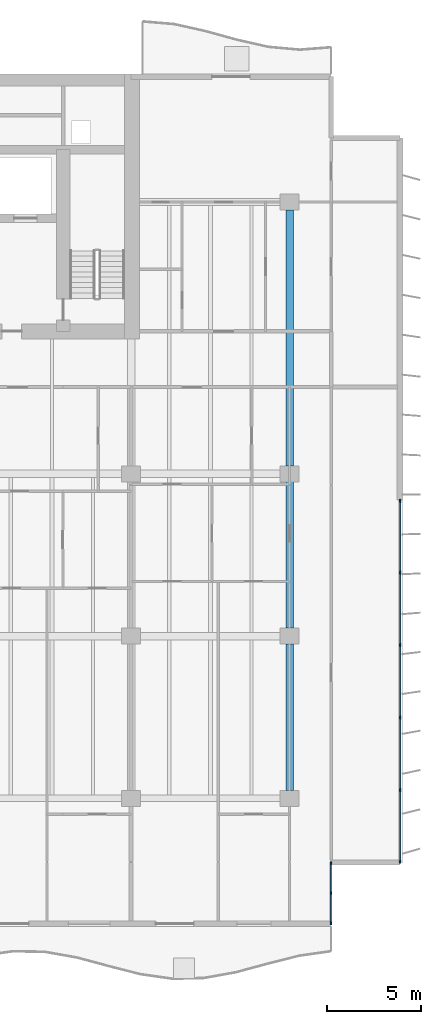
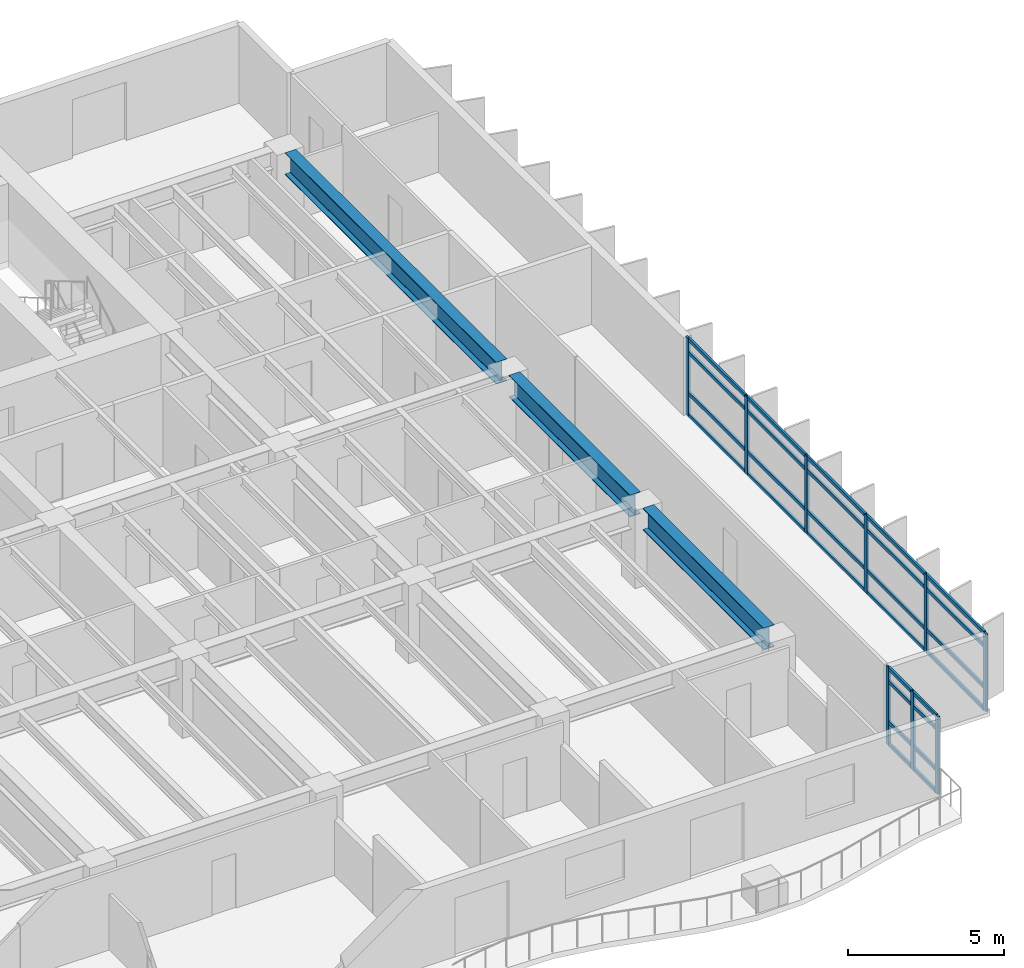
# One storey, part 4 of 15: 37 members, 3 beams, 2 elements without a shape of their own.
"""IFC4 building model written with IfcOpenShell, lengths in metres."""

from ifc_helpers import new_model, si_unit, direction, frame, origin, origin_2d, place, context, subcontext, project, spatial, rectangle, i_section, extrude, material, layer, layer_set, material_profile, profile_set, type_object, element, aggregate, save


model = new_model("IFC4")

# Units and contexts
model_context = context("Model", 3, precision=1e-05, world=origin(), true_north=direction((0.0, 1.0)))
body_context = subcontext(model_context, "Body", "Model", "MODEL_VIEW")
ifc_project = project(units=[si_unit("LENGTHUNIT", "METRE"), si_unit("AREAUNIT", "SQUARE_METRE"), si_unit("VOLUMEUNIT", "CUBIC_METRE"), si_unit("PLANEANGLEUNIT", "RADIAN"), si_unit("MASSUNIT", "GRAM", prefix="KILO")], contexts=[model_context])

# Site, building, storey
site_placement = place(None, origin())
site = spatial("IfcSite", under=ifc_project, at=site_placement, CompositionType="ELEMENT")
building_placement = place(site_placement, origin())
building = spatial("IfcBuilding", under=site, at=building_placement, Name="Caelmar Bay Residences", CompositionType="ELEMENT")
storey_placement = place(building_placement, frame((0.0, 0.0, 135.60009765625)))
storey = spatial("IfcBuildingStorey", under=building, at=storey_placement, Name="L37", CompositionType="ELEMENT", Elevation=135.60009765625)

# Beams
ifc_material_1 = material(Name="Steel ASTM A992 Grade 50", Category="steel")
ifc_material_profile_1 = material_profile(ifc_material_1, i_section(OverallWidth=0.40087890625, OverallDepth=0.861083984375, WebThickness=0.019775390625, FlangeThickness=0.032470703125, FilletRadius=0.017822265625, at=origin_2d()), Name="W33X221")
ifc_profile_set_1 = profile_set([ifc_material_profile_1], Name="Steel ASTM A992 Grade 50")
beam_type = type_object("IfcBeamType", Name="BM-GRD-W33X221", PredefinedType="BEAM", material=ifc_profile_set_1)
for number, where, z_axis, x_axis, name in (
    (1, (67.89990234375, 12.614990234375, 2.619384765625), (0.0, 1.0, 0.0), (-1.0, 0.0, 0.0), "L37 North-South Girder X=67.90 (12.2-20.8)"),
    (2, (67.89990234375, 21.215087890625, 2.619384765625), (0.0, 1.0, 0.0), (-1.0, 0.0, 0.0), "L37 North-South Girder X=67.90 (20.8-29.4)"),
):
    element("IfcBeam", number, at=place(storey_placement, frame(where, z_axis=z_axis, x_axis=x_axis)), inside=storey, type_object=beam_type, Name=name, PredefinedType="BEAM", context=body_context, shape_type="SweptSolid", body=[
        extrude(i_section(OverallWidth=0.40087890625, OverallDepth=0.861083984375, WebThickness=0.019775390625, FlangeThickness=0.032470703125, FilletRadius=0.017822265625, at=origin_2d()), origin(), (0.0, 0.0, 1.0), 7.77001953125),
    ])
beam_placement = place(storey_placement, frame((67.89990234375, 29.81494140625, 2.619384765625), z_axis=(0.0, 1.0, 0.0), x_axis=(-1.0, 0.0, 0.0)))
element("IfcBeam", 3, at=beam_placement, inside=storey, type_object=beam_type, Name="L37 North-South Girder X=67.90 (29.4-43.8)", PredefinedType="BEAM", context=body_context, shape_type="SweptSolid", body=[
    extrude(i_section(OverallWidth=0.40087890625, OverallDepth=0.861083984375, WebThickness=0.019775390625, FlangeThickness=0.032470703125, FilletRadius=0.017822265625, at=origin_2d()), origin(), (0.0, 0.0, 1.0), 13.570068359375),
])

# Curtain wall, members
ifc_material_2 = material(Name="Anodised bronze aluminium 6063-T6 and laminated glass", Category="aluminium")
ifc_layer_1 = layer(ifc_material_2, 0.179931640625)
ifc_layer_set_1 = layer_set([ifc_layer_1], Name="Anodised bronze aluminium 6063-T6 and laminated glass")
curtain_wall_type_1 = type_object("IfcCurtainWallType", Name="CW6-NTC", PredefinedType="NOTDEFINED", material=ifc_layer_set_1)
curtain_wall_1_placement = place(storey_placement, origin())
curtain_wall_1 = element("IfcCurtainWall", 4, at=curtain_wall_1_placement, inside=storey, type_object=curtain_wall_type_1, Name="CW6 curtain wall L37", PredefinedType="NOTDEFINED")
ifc_material_3 = material(Name="Anodised bronze aluminium 6063-T6", Category="aluminium")
ifc_material_profile_2 = material_profile(ifc_material_3, rectangle(XDim=0.080078125, YDim=0.179931640625, at=origin_2d()), Name="CWM-80X180")
ifc_profile_set_2 = profile_set([ifc_material_profile_2], Name="Anodised bronze aluminium 6063-T6")
member_type_1 = type_object("IfcMemberType", Name="CWM-180", PredefinedType="MULLION", material=ifc_profile_set_2)
member_1_placement = place(storey_placement, frame((70.10009765625, 5.590087890625, 0.0), z_axis=(0.0, 0.0, 1.0), x_axis=(-1.0, 0.0, 0.0)))
member_1 = element("IfcMember", 5, at=member_1_placement, type_object=member_type_1, Name="CW6 mullion 1", PredefinedType="MULLION", context=body_context, shape_type="SweptSolid", body=[
    extrude(rectangle(XDim=0.080078125, YDim=0.179931640625, at=origin_2d()), origin(), (0.0, 0.0, 1.0), 3.0498046875),
])
member_2_placement = place(storey_placement, frame((70.10009765625, 7.175048828125, 0.0), z_axis=(0.0, 0.0, 1.0), x_axis=(-1.0, 0.0, 0.0)))
member_2 = element("IfcMember", 6, at=member_2_placement, type_object=member_type_1, Name="CW6 mullion 2", PredefinedType="MULLION", context=body_context, shape_type="SweptSolid", body=[
    extrude(rectangle(XDim=0.080078125, YDim=0.179931640625, at=origin_2d()), origin(), (0.0, 0.0, 1.0), 3.0498046875),
])
member_3_placement = place(storey_placement, frame((70.10009765625, 8.760009765625, 0.0), z_axis=(0.0, 0.0, 1.0), x_axis=(-1.0, 0.0, 0.0)))
member_3 = element("IfcMember", 7, at=member_3_placement, type_object=member_type_1, Name="CW6 mullion 3", PredefinedType="MULLION", context=body_context, shape_type="SweptSolid", body=[
    extrude(rectangle(XDim=0.080078125, YDim=0.179931640625, at=origin_2d()), origin(), (0.0, 0.0, 1.0), 3.0498046875),
])

ifc_layer_2 = layer(ifc_material_2, 0.179931640625)
ifc_layer_set_2 = layer_set([ifc_layer_2], Name="Anodised bronze aluminium 6063-T6 and laminated glass")
curtain_wall_type_2 = type_object("IfcCurtainWallType", Name="CW3-Z2", PredefinedType="NOTDEFINED", material=ifc_layer_set_2)
curtain_wall_2_placement = place(storey_placement, origin())
curtain_wall_2 = element("IfcCurtainWall", 8, at=curtain_wall_2_placement, inside=storey, type_object=curtain_wall_type_2, Name="CW3 curtain wall L37", PredefinedType="NOTDEFINED")
member_4_placement = place(storey_placement, frame((73.75, 27.9599609375, 0.0), z_axis=(0.0, 0.0, 1.0), x_axis=(1.0, 0.0, 0.0)))
member_4 = element("IfcMember", 9, at=member_4_placement, type_object=member_type_1, Name="CW3 mullion 1", PredefinedType="MULLION", context=body_context, shape_type="SweptSolid", body=[
    extrude(rectangle(XDim=0.080078125, YDim=0.179931640625, at=origin_2d()), origin(), (0.0, 0.0, 1.0), 3.0498046875),
])
member_5_placement = place(storey_placement, frame((73.75, 24.159912109375, 0.0), z_axis=(0.0, 0.0, 1.0), x_axis=(1.0, 0.0, 0.0)))
member_5 = element("IfcMember", 10, at=member_5_placement, type_object=member_type_1, Name="CW3 mullion 2", PredefinedType="MULLION", context=body_context, shape_type="SweptSolid", body=[
    extrude(rectangle(XDim=0.080078125, YDim=0.179931640625, at=origin_2d()), origin(), (0.0, 0.0, 1.0), 3.0498046875),
])
member_6_placement = place(storey_placement, frame((73.75, 20.320068359375, 0.0), z_axis=(0.0, 0.0, 1.0), x_axis=(1.0, 0.0, 0.0)))
member_6 = element("IfcMember", 11, at=member_6_placement, type_object=member_type_1, Name="CW3 mullion 3", PredefinedType="MULLION", context=body_context, shape_type="SweptSolid", body=[
    extrude(rectangle(XDim=0.080078125, YDim=0.179931640625, at=origin_2d()), origin(), (0.0, 0.0, 1.0), 3.0498046875),
])
member_7_placement = place(storey_placement, frame((73.75, 16.47998046875, 0.0), z_axis=(0.0, 0.0, 1.0), x_axis=(1.0, 0.0, 0.0)))
member_7 = element("IfcMember", 12, at=member_7_placement, type_object=member_type_1, Name="CW3 mullion 4", PredefinedType="MULLION", context=body_context, shape_type="SweptSolid", body=[
    extrude(rectangle(XDim=0.080078125, YDim=0.179931640625, at=origin_2d()), origin(), (0.0, 0.0, 1.0), 3.0498046875),
])
member_8_placement = place(storey_placement, frame((73.75, 12.639892578125, 0.0), z_axis=(0.0, 0.0, 1.0), x_axis=(1.0, 0.0, 0.0)))
member_8 = element("IfcMember", 13, at=member_8_placement, type_object=member_type_1, Name="CW3 mullion 5", PredefinedType="MULLION", context=body_context, shape_type="SweptSolid", body=[
    extrude(rectangle(XDim=0.080078125, YDim=0.179931640625, at=origin_2d()), origin(), (0.0, 0.0, 1.0), 3.0498046875),
])
member_9_placement = place(storey_placement, frame((73.75, 8.840087890625, 0.0), z_axis=(0.0, 0.0, 1.0), x_axis=(1.0, 0.0, 0.0)))
member_9 = element("IfcMember", 14, at=member_9_placement, type_object=member_type_1, Name="CW3 mullion 6", PredefinedType="MULLION", context=body_context, shape_type="SweptSolid", body=[
    extrude(rectangle(XDim=0.080078125, YDim=0.179931640625, at=origin_2d()), origin(), (0.0, 0.0, 1.0), 3.0498046875),
])

# Member
ifc_material_profile_3 = material_profile(ifc_material_3, rectangle(XDim=0.080078125, YDim=0.139892578125, at=origin_2d()), Name="CWT-80X140")
ifc_profile_set_3 = profile_set([ifc_material_profile_3], Name="Anodised bronze aluminium 6063-T6")
member_type_2 = type_object("IfcMemberType", Name="CWT-140", PredefinedType="NOTDEFINED", material=ifc_profile_set_3)
member_10_placement = place(storey_placement, frame((70.10009765625, 5.6298828125, 0.039794921875), z_axis=(0.0, 1.0, 0.0), x_axis=(-1.0, 0.0, 0.0)))
member_10 = element("IfcMember", 15, at=member_10_placement, type_object=member_type_2, Name="CW6 transom 1.1", ObjectType="TRANSOM", PredefinedType="USERDEFINED", context=body_context, shape_type="SweptSolid", body=[
    extrude(rectangle(XDim=0.080078125, YDim=0.139892578125, at=origin_2d()), origin(), (0.0, 0.0, 1.0), 1.505126953125),
])

member_11_placement = place(storey_placement, frame((70.10009765625, 5.6298828125, 0.89990234375), z_axis=(0.0, 1.0, 0.0), x_axis=(-1.0, 0.0, 0.0)))
member_11 = element("IfcMember", 16, at=member_11_placement, type_object=member_type_2, Name="CW6 transom 1.2", ObjectType="TRANSOM", PredefinedType="USERDEFINED", context=body_context, shape_type="SweptSolid", body=[
    extrude(rectangle(XDim=0.080078125, YDim=0.139892578125, at=origin_2d()), origin(), (0.0, 0.0, 1.0), 1.505126953125),
])

member_12_placement = place(storey_placement, frame((70.10009765625, 5.6298828125, 2.5), z_axis=(0.0, 1.0, 0.0), x_axis=(-1.0, 0.0, 0.0)))
member_12 = element("IfcMember", 17, at=member_12_placement, type_object=member_type_2, Name="CW6 transom 1.3", ObjectType="TRANSOM", PredefinedType="USERDEFINED", context=body_context, shape_type="SweptSolid", body=[
    extrude(rectangle(XDim=0.080078125, YDim=0.139892578125, at=origin_2d()), origin(), (0.0, 0.0, 1.0), 1.505126953125),
])

member_13_placement = place(storey_placement, frame((70.10009765625, 5.6298828125, 3.010009765625), z_axis=(0.0, 1.0, 0.0), x_axis=(-1.0, 0.0, 0.0)))
member_13 = element("IfcMember", 18, at=member_13_placement, type_object=member_type_2, Name="CW6 transom 1.4", ObjectType="TRANSOM", PredefinedType="USERDEFINED", context=body_context, shape_type="SweptSolid", body=[
    extrude(rectangle(XDim=0.080078125, YDim=0.139892578125, at=origin_2d()), origin(), (0.0, 0.0, 1.0), 1.505126953125),
])

member_14_placement = place(storey_placement, frame((70.10009765625, 7.215087890625, 0.039794921875), z_axis=(0.0, 1.0, 0.0), x_axis=(-1.0, 0.0, 0.0)))
member_14 = element("IfcMember", 19, at=member_14_placement, type_object=member_type_2, Name="CW6 transom 2.1", ObjectType="TRANSOM", PredefinedType="USERDEFINED", context=body_context, shape_type="SweptSolid", body=[
    extrude(rectangle(XDim=0.080078125, YDim=0.139892578125, at=origin_2d()), origin(), (0.0, 0.0, 1.0), 1.5048828125),
])

member_15_placement = place(storey_placement, frame((70.10009765625, 7.215087890625, 0.89990234375), z_axis=(0.0, 1.0, 0.0), x_axis=(-1.0, 0.0, 0.0)))
member_15 = element("IfcMember", 20, at=member_15_placement, type_object=member_type_2, Name="CW6 transom 2.2", ObjectType="TRANSOM", PredefinedType="USERDEFINED", context=body_context, shape_type="SweptSolid", body=[
    extrude(rectangle(XDim=0.080078125, YDim=0.139892578125, at=origin_2d()), origin(), (0.0, 0.0, 1.0), 1.5048828125),
])

member_16_placement = place(storey_placement, frame((70.10009765625, 7.215087890625, 2.5), z_axis=(0.0, 1.0, 0.0), x_axis=(-1.0, 0.0, 0.0)))
member_16 = element("IfcMember", 21, at=member_16_placement, type_object=member_type_2, Name="CW6 transom 2.3", ObjectType="TRANSOM", PredefinedType="USERDEFINED", context=body_context, shape_type="SweptSolid", body=[
    extrude(rectangle(XDim=0.080078125, YDim=0.139892578125, at=origin_2d()), origin(), (0.0, 0.0, 1.0), 1.5048828125),
])

member_17_placement = place(storey_placement, frame((70.10009765625, 7.215087890625, 3.010009765625), z_axis=(0.0, 1.0, 0.0), x_axis=(-1.0, 0.0, 0.0)))
member_17 = element("IfcMember", 22, at=member_17_placement, type_object=member_type_2, Name="CW6 transom 2.4", ObjectType="TRANSOM", PredefinedType="USERDEFINED", context=body_context, shape_type="SweptSolid", body=[
    extrude(rectangle(XDim=0.080078125, YDim=0.139892578125, at=origin_2d()), origin(), (0.0, 0.0, 1.0), 1.5048828125),
])

aggregate(curtain_wall_1, [member_1, member_2, member_3, member_10, member_11, member_12, member_13, member_14, member_15, member_16, member_17])

member_18_placement = place(storey_placement, frame((73.75, 27.919921875, 0.039794921875), z_axis=(0.0, -1.0, 0.0), x_axis=(1.0, 0.0, 0.0)))
member_18 = element("IfcMember", 23, at=member_18_placement, type_object=member_type_2, Name="CW3 transom 1.1", ObjectType="TRANSOM", PredefinedType="USERDEFINED", context=body_context, shape_type="SweptSolid", body=[
    extrude(rectangle(XDim=0.080078125, YDim=0.139892578125, at=origin_2d()), origin(), (0.0, 0.0, 1.0), 3.719970703125),
])

member_19_placement = place(storey_placement, frame((73.75, 27.919921875, 0.89990234375), z_axis=(0.0, -1.0, 0.0), x_axis=(1.0, 0.0, 0.0)))
member_19 = element("IfcMember", 24, at=member_19_placement, type_object=member_type_2, Name="CW3 transom 1.2", ObjectType="TRANSOM", PredefinedType="USERDEFINED", context=body_context, shape_type="SweptSolid", body=[
    extrude(rectangle(XDim=0.080078125, YDim=0.139892578125, at=origin_2d()), origin(), (0.0, 0.0, 1.0), 3.719970703125),
])

member_20_placement = place(storey_placement, frame((73.75, 27.919921875, 2.5), z_axis=(0.0, -1.0, 0.0), x_axis=(1.0, 0.0, 0.0)))
member_20 = element("IfcMember", 25, at=member_20_placement, type_object=member_type_2, Name="CW3 transom 1.3", ObjectType="TRANSOM", PredefinedType="USERDEFINED", context=body_context, shape_type="SweptSolid", body=[
    extrude(rectangle(XDim=0.080078125, YDim=0.139892578125, at=origin_2d()), origin(), (0.0, 0.0, 1.0), 3.719970703125),
])

member_21_placement = place(storey_placement, frame((73.75, 27.919921875, 3.010009765625), z_axis=(0.0, -1.0, 0.0), x_axis=(1.0, 0.0, 0.0)))
member_21 = element("IfcMember", 26, at=member_21_placement, type_object=member_type_2, Name="CW3 transom 1.4", ObjectType="TRANSOM", PredefinedType="USERDEFINED", context=body_context, shape_type="SweptSolid", body=[
    extrude(rectangle(XDim=0.080078125, YDim=0.139892578125, at=origin_2d()), origin(), (0.0, 0.0, 1.0), 3.719970703125),
])

member_22_placement = place(storey_placement, frame((73.75, 24.1201171875, 0.039794921875), z_axis=(0.0, -1.0, 0.0), x_axis=(1.0, 0.0, 0.0)))
member_22 = element("IfcMember", 27, at=member_22_placement, type_object=member_type_2, Name="CW3 transom 2.1", ObjectType="TRANSOM", PredefinedType="USERDEFINED", context=body_context, shape_type="SweptSolid", body=[
    extrude(rectangle(XDim=0.080078125, YDim=0.139892578125, at=origin_2d()), origin(), (0.0, 0.0, 1.0), 3.760009765625),
])

member_23_placement = place(storey_placement, frame((73.75, 24.1201171875, 0.89990234375), z_axis=(0.0, -1.0, 0.0), x_axis=(1.0, 0.0, 0.0)))
member_23 = element("IfcMember", 28, at=member_23_placement, type_object=member_type_2, Name="CW3 transom 2.2", ObjectType="TRANSOM", PredefinedType="USERDEFINED", context=body_context, shape_type="SweptSolid", body=[
    extrude(rectangle(XDim=0.080078125, YDim=0.139892578125, at=origin_2d()), origin(), (0.0, 0.0, 1.0), 3.760009765625),
])

member_24_placement = place(storey_placement, frame((73.75, 24.1201171875, 2.5), z_axis=(0.0, -1.0, 0.0), x_axis=(1.0, 0.0, 0.0)))
member_24 = element("IfcMember", 29, at=member_24_placement, type_object=member_type_2, Name="CW3 transom 2.3", ObjectType="TRANSOM", PredefinedType="USERDEFINED", context=body_context, shape_type="SweptSolid", body=[
    extrude(rectangle(XDim=0.080078125, YDim=0.139892578125, at=origin_2d()), origin(), (0.0, 0.0, 1.0), 3.760009765625),
])

member_25_placement = place(storey_placement, frame((73.75, 24.1201171875, 3.010009765625), z_axis=(0.0, -1.0, 0.0), x_axis=(1.0, 0.0, 0.0)))
member_25 = element("IfcMember", 30, at=member_25_placement, type_object=member_type_2, Name="CW3 transom 2.4", ObjectType="TRANSOM", PredefinedType="USERDEFINED", context=body_context, shape_type="SweptSolid", body=[
    extrude(rectangle(XDim=0.080078125, YDim=0.139892578125, at=origin_2d()), origin(), (0.0, 0.0, 1.0), 3.760009765625),
])

member_26_placement = place(storey_placement, frame((73.75, 20.280029296875, 0.039794921875), z_axis=(0.0, -1.0, 0.0), x_axis=(1.0, 0.0, 0.0)))
member_26 = element("IfcMember", 31, at=member_26_placement, type_object=member_type_2, Name="CW3 transom 3.1", ObjectType="TRANSOM", PredefinedType="USERDEFINED", context=body_context, shape_type="SweptSolid", body=[
    extrude(rectangle(XDim=0.080078125, YDim=0.139892578125, at=origin_2d()), origin(), (0.0, 0.0, 1.0), 3.760009765625),
])

member_27_placement = place(storey_placement, frame((73.75, 20.280029296875, 0.89990234375), z_axis=(0.0, -1.0, 0.0), x_axis=(1.0, 0.0, 0.0)))
member_27 = element("IfcMember", 32, at=member_27_placement, type_object=member_type_2, Name="CW3 transom 3.2", ObjectType="TRANSOM", PredefinedType="USERDEFINED", context=body_context, shape_type="SweptSolid", body=[
    extrude(rectangle(XDim=0.080078125, YDim=0.139892578125, at=origin_2d()), origin(), (0.0, 0.0, 1.0), 3.760009765625),
])

member_28_placement = place(storey_placement, frame((73.75, 20.280029296875, 2.5), z_axis=(0.0, -1.0, 0.0), x_axis=(1.0, 0.0, 0.0)))
member_28 = element("IfcMember", 33, at=member_28_placement, type_object=member_type_2, Name="CW3 transom 3.3", ObjectType="TRANSOM", PredefinedType="USERDEFINED", context=body_context, shape_type="SweptSolid", body=[
    extrude(rectangle(XDim=0.080078125, YDim=0.139892578125, at=origin_2d()), origin(), (0.0, 0.0, 1.0), 3.760009765625),
])

member_29_placement = place(storey_placement, frame((73.75, 20.280029296875, 3.010009765625), z_axis=(0.0, -1.0, 0.0), x_axis=(1.0, 0.0, 0.0)))
member_29 = element("IfcMember", 34, at=member_29_placement, type_object=member_type_2, Name="CW3 transom 3.4", ObjectType="TRANSOM", PredefinedType="USERDEFINED", context=body_context, shape_type="SweptSolid", body=[
    extrude(rectangle(XDim=0.080078125, YDim=0.139892578125, at=origin_2d()), origin(), (0.0, 0.0, 1.0), 3.760009765625),
])

member_30_placement = place(storey_placement, frame((73.75, 16.43994140625, 0.039794921875), z_axis=(0.0, -1.0, 0.0), x_axis=(1.0, 0.0, 0.0)))
member_30 = element("IfcMember", 35, at=member_30_placement, type_object=member_type_2, Name="CW3 transom 4.1", ObjectType="TRANSOM", PredefinedType="USERDEFINED", context=body_context, shape_type="SweptSolid", body=[
    extrude(rectangle(XDim=0.080078125, YDim=0.139892578125, at=origin_2d()), origin(), (0.0, 0.0, 1.0), 3.760009765625),
])

member_31_placement = place(storey_placement, frame((73.75, 16.43994140625, 0.89990234375), z_axis=(0.0, -1.0, 0.0), x_axis=(1.0, 0.0, 0.0)))
member_31 = element("IfcMember", 36, at=member_31_placement, type_object=member_type_2, Name="CW3 transom 4.2", ObjectType="TRANSOM", PredefinedType="USERDEFINED", context=body_context, shape_type="SweptSolid", body=[
    extrude(rectangle(XDim=0.080078125, YDim=0.139892578125, at=origin_2d()), origin(), (0.0, 0.0, 1.0), 3.760009765625),
])

member_32_placement = place(storey_placement, frame((73.75, 16.43994140625, 2.5), z_axis=(0.0, -1.0, 0.0), x_axis=(1.0, 0.0, 0.0)))
member_32 = element("IfcMember", 37, at=member_32_placement, type_object=member_type_2, Name="CW3 transom 4.3", ObjectType="TRANSOM", PredefinedType="USERDEFINED", context=body_context, shape_type="SweptSolid", body=[
    extrude(rectangle(XDim=0.080078125, YDim=0.139892578125, at=origin_2d()), origin(), (0.0, 0.0, 1.0), 3.760009765625),
])

member_33_placement = place(storey_placement, frame((73.75, 16.43994140625, 3.010009765625), z_axis=(0.0, -1.0, 0.0), x_axis=(1.0, 0.0, 0.0)))
member_33 = element("IfcMember", 38, at=member_33_placement, type_object=member_type_2, Name="CW3 transom 4.4", ObjectType="TRANSOM", PredefinedType="USERDEFINED", context=body_context, shape_type="SweptSolid", body=[
    extrude(rectangle(XDim=0.080078125, YDim=0.139892578125, at=origin_2d()), origin(), (0.0, 0.0, 1.0), 3.760009765625),
])

member_34_placement = place(storey_placement, frame((73.75, 12.60009765625, 0.039794921875), z_axis=(0.0, -1.0, 0.0), x_axis=(1.0, 0.0, 0.0)))
member_34 = element("IfcMember", 39, at=member_34_placement, type_object=member_type_2, Name="CW3 transom 5.1", ObjectType="TRANSOM", PredefinedType="USERDEFINED", context=body_context, shape_type="SweptSolid", body=[
    extrude(rectangle(XDim=0.080078125, YDim=0.139892578125, at=origin_2d()), origin(), (0.0, 0.0, 1.0), 3.72021484375),
])

member_35_placement = place(storey_placement, frame((73.75, 12.60009765625, 0.89990234375), z_axis=(0.0, -1.0, 0.0), x_axis=(1.0, 0.0, 0.0)))
member_35 = element("IfcMember", 40, at=member_35_placement, type_object=member_type_2, Name="CW3 transom 5.2", ObjectType="TRANSOM", PredefinedType="USERDEFINED", context=body_context, shape_type="SweptSolid", body=[
    extrude(rectangle(XDim=0.080078125, YDim=0.139892578125, at=origin_2d()), origin(), (0.0, 0.0, 1.0), 3.72021484375),
])

member_36_placement = place(storey_placement, frame((73.75, 12.60009765625, 2.5), z_axis=(0.0, -1.0, 0.0), x_axis=(1.0, 0.0, 0.0)))
member_36 = element("IfcMember", 41, at=member_36_placement, type_object=member_type_2, Name="CW3 transom 5.3", ObjectType="TRANSOM", PredefinedType="USERDEFINED", context=body_context, shape_type="SweptSolid", body=[
    extrude(rectangle(XDim=0.080078125, YDim=0.139892578125, at=origin_2d()), origin(), (0.0, 0.0, 1.0), 3.72021484375),
])

member_37_placement = place(storey_placement, frame((73.75, 12.60009765625, 3.010009765625), z_axis=(0.0, -1.0, 0.0), x_axis=(1.0, 0.0, 0.0)))
member_37 = element("IfcMember", 42, at=member_37_placement, type_object=member_type_2, Name="CW3 transom 5.4", ObjectType="TRANSOM", PredefinedType="USERDEFINED", context=body_context, shape_type="SweptSolid", body=[
    extrude(rectangle(XDim=0.080078125, YDim=0.139892578125, at=origin_2d()), origin(), (0.0, 0.0, 1.0), 3.72021484375),
])

aggregate(curtain_wall_2, [member_4, member_5, member_6, member_7, member_8, member_9, member_18, member_19, member_20, member_21, member_22, member_23, member_24, member_25, member_26, member_27, member_28, member_29, member_30, member_31, member_32, member_33, member_34, member_35, member_36, member_37])

save(model, "model.ifc")
